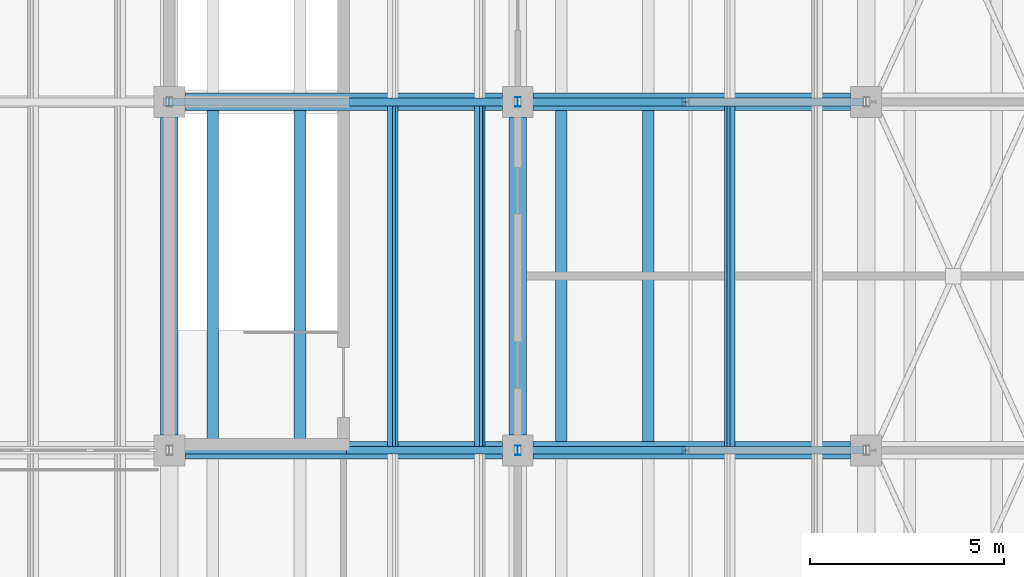
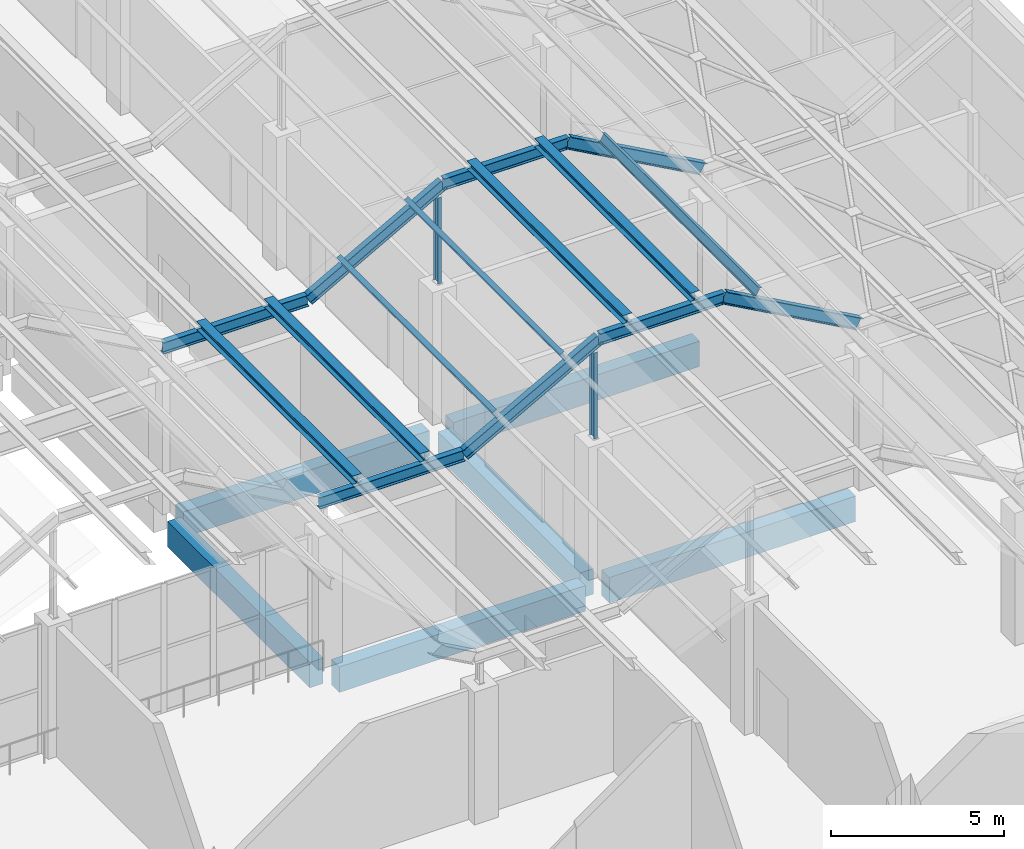
# One storey, part 36 of 437: 17 members, 6 beams.
"""IFC4 building model written with IfcOpenShell, lengths in metres."""

import ifcopenshell
import ifcopenshell.guid

model = None  # the IFC model being written
_history = None  # IfcOwnerHistory: only IFC2X3 demands one
_inside = {}  # id of a spatial element -> (the spatial element, [elements in it])
_under = {}  # id of a project, library or spatial element -> (it, [spatial elements below it])
_declared = {}  # id of a project -> (the project, [libraries it declares])
_typed = {}  # id of a type object -> (the type object, [elements of that type])
_made_of = {}  # id of a material, layer set ... -> (it, [elements and type objects made of it])


def new_model(schema):
    """Start an empty IFC model of exactly this schema.

    Asked for "IFC4X3", IfcOpenShell would pick the latest addendum, in which some entities
    have other attributes; the version numbers below select the first issue.
    IFC2X3 requires an IfcOwnerHistory on every rooted entity: one is made here for all.
    """
    global model, _history
    if schema == "IFC4X3":
        model = ifcopenshell.file(schema_version=(4, 3, 0, 0))
    else:
        model = ifcopenshell.file(schema=schema)
    _inside.clear()
    _under.clear()
    _declared.clear()
    _typed.clear()
    _made_of.clear()
    _history = None
    if model.schema == "IFC2X3":
        org = make("IfcOrganization", Name="unknown")
        user = make(
            "IfcPersonAndOrganization",
            ThePerson=make("IfcPerson", FamilyName="unknown"),
            TheOrganization=org,
        )
        app = make(
            "IfcApplication",
            ApplicationDeveloper=org,
            Version="unknown",
            ApplicationFullName="unknown",
            ApplicationIdentifier="unknown",
        )
        _history = make(
            "IfcOwnerHistory",
            OwningUser=user,
            OwningApplication=app,
            ChangeAction="ADDED",
            CreationDate=0,
        )
    return model


def make(cls, **values):
    """One entity of the class cls with the attributes given. An attribute that is None is left unset."""
    return model.create_entity(
        cls, **{name: value for name, value in values.items() if value is not None}
    )


def rooted(cls, **values):
    """An entity with a GlobalId (a new one), such as an element, a storey or a relation."""
    return make(cls, GlobalId=ifcopenshell.guid.new(), OwnerHistory=_history, **values)


def si_unit(unit_type, name, prefix=None):
    """IfcSIUnit, for example si_unit("LENGTHUNIT", "METRE", prefix="MILLI")."""
    return make("IfcSIUnit", UnitType=unit_type, Prefix=prefix, Name=name)


def assignment(units):
    """IfcUnitAssignment: the units of a project."""
    return None if units is None else make("IfcUnitAssignment", Units=units)


def point(xyz):
    """IfcCartesianPoint."""
    return None if xyz is None else make("IfcCartesianPoint", Coordinates=xyz)


def direction(xyz):
    """IfcDirection."""
    return None if xyz is None else make("IfcDirection", DirectionRatios=xyz)


def frame(location, z_axis=None, x_axis=None):
    """IfcAxis2Placement3D, a coordinate frame: its origin and axes. An axis left out is left unset."""
    return make(
        "IfcAxis2Placement3D",
        Location=point(location),
        Axis=direction(z_axis),
        RefDirection=direction(x_axis),
    )


def frame_2d(location, x_axis=None):
    """IfcAxis2Placement2D, a coordinate frame in the plane: its origin and x axis."""
    return make(
        "IfcAxis2Placement2D", Location=point(location), RefDirection=direction(x_axis)
    )


def origin():
    """The frame at (0, 0, 0) with its axes left unset."""
    return frame((0.0, 0.0, 0.0))


def origin_2d():
    """The frame at (0, 0) in the plane with its x axis left unset."""
    return frame_2d((0.0, 0.0))


def place(relative_to, where):
    """IfcLocalPlacement: puts the frame where relative to a parent placement (None: the world)."""
    return make(
        "IfcLocalPlacement", PlacementRelTo=relative_to, RelativePlacement=where
    )


def context(
    kind, dimensions, precision=None, world=None, true_north=None, identifier=None
):
    """IfcGeometricRepresentationContext, for example the 3D "Model" context."""
    return make(
        "IfcGeometricRepresentationContext",
        ContextIdentifier=identifier,
        ContextType=kind,
        CoordinateSpaceDimension=dimensions,
        Precision=precision,
        WorldCoordinateSystem=world,
        TrueNorth=true_north,
    )


def subcontext(parent, identifier, kind, view, scale=None):
    """IfcGeometricRepresentationSubContext, for example "Body" below "Model"."""
    return make(
        "IfcGeometricRepresentationSubContext",
        ContextIdentifier=identifier,
        ContextType=kind,
        ParentContext=parent,
        TargetScale=scale,
        TargetView=view,
    )


def project(units=None, contexts=None):
    """IfcProject with its units and contexts."""
    return rooted(
        "IfcProject",
        Name="project",
        RepresentationContexts=contexts,
        UnitsInContext=assignment(units),
    )


def spatial(cls, under=None, at=None, **own):
    """A site, building, storey or space (cls), placed at a placement, below another one or the project."""
    s = rooted(cls, ObjectPlacement=at, **own)
    if under is not None:
        _under.setdefault(under.id(), (under, []))[1].append(s)
    return s


def profile(cls, at=None, kind="AREA", **sizes):
    """A parametric profile (cls). Its sizes go by their IFC names, for example OverallWidth=200.0."""
    return make(cls, ProfileType=kind, Position=at, **sizes)


def rectangle(**sizes):
    """IfcRectangleProfileDef."""
    return profile("IfcRectangleProfileDef", **sizes)


def i_section(**sizes):
    """IfcIShapeProfileDef."""
    return profile("IfcIShapeProfileDef", **sizes)


def extrude(swept, where, along, depth):
    """IfcExtrudedAreaSolid: the profile swept, set in the frame where, extruded along a direction by depth."""
    return make(
        "IfcExtrudedAreaSolid",
        SweptArea=swept,
        Position=where,
        ExtrudedDirection=direction(along),
        Depth=depth,
    )


def shape(context_of_items, identifier, shape_type, items):
    """IfcShapeRepresentation: the items that make up one representation, for example the "Body"."""
    return make(
        "IfcShapeRepresentation",
        ContextOfItems=context_of_items,
        RepresentationIdentifier=identifier,
        RepresentationType=shape_type,
        Items=items,
    )


def material(Name=None, Category=None):
    """IfcMaterial."""
    return make("IfcMaterial", Name=Name, Category=Category)


def material_profile(
    of_material, cross_section, Name=None, Category=None, Priority=None
):
    """IfcMaterialProfile: a cross section and its material."""
    return make(
        "IfcMaterialProfile",
        Name=Name,
        Material=of_material,
        Profile=cross_section,
        Priority=Priority,
        Category=Category,
    )


def profile_set(profiles, Name=None, composite=None):
    """IfcMaterialProfileSet."""
    return make(
        "IfcMaterialProfileSet",
        Name=Name,
        MaterialProfiles=profiles,
        CompositeProfile=composite,
    )


def made_of(thing, what):
    """Note that an element or type object is made of a material, layer set ...; save() writes the relation."""
    if what is not None:
        _made_of.setdefault(what.id(), (what, []))[1].append(thing)
    return thing


def type_object(cls, material=None, **own):
    """A type object (cls), such as IfcWallType, which elements share."""
    return made_of(rooted(cls, **own), material)


def element(
    cls,
    number,
    at=None,
    inside=None,
    cuts=None,
    type_object=None,
    material=None,
    context=None,
    identifier="Body",
    shape_type=None,
    held_by="IfcProductDefinitionShape",
    body=None,
    shapes=None,
    **own,
):
    """One element of the class cls, such as IfcWall. Its Tag is "e" and its number.

    at: its placement. inside: the storey or other place that contains it. cuts: it is an
    opening in that element (IfcRelVoidsElement). A single representation is given by context,
    identifier, shape_type and body (its items); several are given by shapes. held_by: the class
    of the entity that holds the representations. save() writes the other relations.
    """
    e = rooted(cls, Tag="e%d" % number, ObjectPlacement=at, **own)
    if body is not None:
        shapes = [shape(context, identifier, shape_type, body)]
    if shapes is not None:
        e.Representation = make(held_by, Representations=shapes)
    if inside is not None:
        _inside.setdefault(inside.id(), (inside, []))[1].append(e)
    if cuts is not None:
        rooted(
            "IfcRelVoidsElement", RelatingBuildingElement=cuts, RelatedOpeningElement=e
        )
    if type_object is not None:
        _typed.setdefault(type_object.id(), (type_object, []))[1].append(e)
    return made_of(e, material)


def aggregate(whole, parts):
    """IfcRelAggregates: a whole, such as a stair, and the parts it consists of."""
    return rooted("IfcRelAggregates", RelatingObject=whole, RelatedObjects=parts)


def save(model, path):
    """Write the relations noted so far, then the file.

    IfcRelAggregates (storeys below a building ...), IfcRelContainedInSpatialStructure (elements
    in a storey), IfcRelDefinesByType, IfcRelAssociatesMaterial and IfcRelDeclares: one each for
    every whole, place, type object, material and project.
    """
    for whole, parts in _under.values():
        aggregate(whole, parts)
    for where, things in _inside.values():
        rooted(
            "IfcRelContainedInSpatialStructure",
            RelatedElements=things,
            RelatingStructure=where,
        )
    for kind, things in _typed.values():
        rooted("IfcRelDefinesByType", RelatedObjects=things, RelatingType=kind)
    for what, things in _made_of.values():
        rooted("IfcRelAssociatesMaterial", RelatedObjects=things, RelatingMaterial=what)
    for by, libraries in _declared.values():
        rooted("IfcRelDeclares", RelatingContext=by, RelatedDefinitions=libraries)
    model.write(path)


model = new_model("IFC4")

# Units and contexts
model_context = context("Model", 3, precision=1e-05, world=origin(), true_north=direction((0.0, 1.0)))
body_context = subcontext(model_context, "Body", "Model", "MODEL_VIEW")
ifc_project = project(units=[si_unit("LENGTHUNIT", "METRE"), si_unit("AREAUNIT", "SQUARE_METRE"), si_unit("VOLUMEUNIT", "CUBIC_METRE"), si_unit("PLANEANGLEUNIT", "RADIAN"), si_unit("MASSUNIT", "GRAM", prefix="KILO")], contexts=[model_context])

# Site, building, storey
site_placement = place(None, origin())
site = spatial("IfcSite", under=ifc_project, at=site_placement, CompositionType="ELEMENT")
building_placement = place(site_placement, origin())
building = spatial("IfcBuilding", under=site, at=building_placement, Name="Opaline Strait Convention Centre", CompositionType="ELEMENT")
storey_placement = place(building_placement, frame((0.0, 0.0, 11.5)))
storey = spatial("IfcBuildingStorey", under=building, at=storey_placement, Name="L02", CompositionType="ELEMENT", Elevation=11.5)

# Members
ifc_material_1 = material(Name="Steel Q355B", Category="steel")
ifc_material_profile_1 = material_profile(ifc_material_1, i_section(OverallWidth=0.300048828125, OverallDepth=0.300048828125, WebThickness=0.010009765625, FlangeThickness=0.014892578125, FilletRadius=0.012939453125, at=origin_2d()), Name="HW 300x300x10x15")
ifc_profile_set_1 = profile_set([ifc_material_profile_1], Name="Steel Q355B")
member_type_1 = type_object("IfcMemberType", Name="Crest purlin HW 300x300x10x15", PredefinedType="PURLIN", material=ifc_profile_set_1)
for number, where, z_axis, x_axis, name in (
    (1, (55.125, 45.0, 5.949951171875), (0.0, 1.0, 0.0), (-1.0, 0.0, 0.0), "RU1 purlin facet 11 line 1"),
    (2, (57.375, 45.0, 5.949951171875), (0.0, 1.0, 0.0), (-1.0, 0.0, 0.0), "RU1 purlin facet 11 line 2"),
    (3, (64.125, 45.0, 8.449951171875), (0.0, 1.0, 0.0), (-1.0, 0.0, 0.0), "RU1 purlin facet 13 line 1"),
    (4, (66.375, 45.0, 8.449951171875), (0.0, 1.0, 0.0), (-1.0, 0.0, 0.0), "RU1 purlin facet 13 line 2"),
):
    element("IfcMember", number, at=place(storey_placement, frame(where, z_axis=z_axis, x_axis=x_axis)), inside=storey, type_object=member_type_1, Name=name, PredefinedType="PURLIN", context=body_context, shape_type="SweptSolid", body=[
        extrude(i_section(OverallWidth=0.300048828125, OverallDepth=0.300048828125, WebThickness=0.010009765625, FlangeThickness=0.014892578125, FilletRadius=0.012939453125, at=origin_2d()), origin(), (0.0, 0.0, 1.0), 9.0),
    ])

# Beams
ifc_material_2 = material(Name="Concrete C35", Category="concrete")
ifc_material_profile_2 = material_profile(ifc_material_2, rectangle(XDim=0.449951171875, YDim=0.89990234375, at=origin_2d()), Name="RC 450x900")
ifc_profile_set_2 = profile_set([ifc_material_profile_2], Name="Concrete C35")
beam_type = type_object("IfcBeamType", Name="RC beam 450x900 C35", PredefinedType="BEAM", material=ifc_profile_set_2)
for number, where, z_axis, x_axis, name in (
    (5, (54.39990234375, 45.0, -0.72998046875), (1.0, 0.0, 0.0), (0.0, 1.0, 0.0), "XB1 L02 54/45-63/45"),
    (6, (63.39990234375, 45.0, -0.72998046875), (1.0, 0.0, 0.0), (0.0, 1.0, 0.0), "XB1 L02 63/45-72/45"),
    (7, (54.39990234375, 54.0, -0.72998046875), (1.0, 0.0, 0.0), (0.0, 1.0, 0.0), "XB1 L02 54/54-63/54"),
    (8, (63.39990234375, 54.0, -0.72998046875), (1.0, 0.0, 0.0), (0.0, 1.0, 0.0), "XB1 L02 63/54-72/54"),
    (9, (54.0, 45.39990234375, -0.72998046875), (0.0, 1.0, 0.0), (-1.0, 0.0, 0.0), "XB1 L02 54/45-54/54"),
    (10, (63.0, 45.39990234375, -0.72998046875), (0.0, 1.0, 0.0), (-1.0, 0.0, 0.0), "XB1 L02 63/45-63/54"),
):
    element("IfcBeam", number, at=place(storey_placement, frame(where, z_axis=z_axis, x_axis=x_axis)), inside=storey, type_object=beam_type, Name=name, PredefinedType="BEAM", context=body_context, shape_type="SweptSolid", body=[
        extrude(rectangle(XDim=0.449951171875, YDim=0.89990234375, at=origin_2d()), origin(), (0.0, 0.0, 1.0), 8.2001953125),
    ])

# Members
ifc_material_profile_3 = material_profile(ifc_material_1, i_section(OverallWidth=0.125, OverallDepth=0.25, WebThickness=0.006103515625, FlangeThickness=0.009033203125, FilletRadius=0.008056640625, at=origin_2d()), Name="HN 250x125x6x9")
ifc_profile_set_3 = profile_set([ifc_material_profile_3], Name="Steel Q355B")
member_type_2 = type_object("IfcMemberType", Name="Roof post HN 250x125x6x9", PredefinedType="STRUT", material=ifc_profile_set_3)
for number, where, z_axis, x_axis, name in (
    (11, (63.0, 45.0, 4.68994140625), (0.0, 0.0, 1.0), (1.0, 0.0, 0.0), "RP1 roof post at 63/45"),
    (12, (63.0, 54.0, 4.68994140625), (0.0, 0.0, 1.0), (1.0, 0.0, 0.0), "RP1 roof post at 63/54"),
):
    element("IfcMember", number, at=place(storey_placement, frame(where, z_axis=z_axis, x_axis=x_axis)), inside=storey, type_object=member_type_2, Name=name, PredefinedType="STRUT", context=body_context, shape_type="SweptSolid", body=[
        extrude(i_section(OverallWidth=0.125, OverallDepth=0.25, WebThickness=0.006103515625, FlangeThickness=0.009033203125, FilletRadius=0.008056640625, at=origin_2d()), origin(), (0.0, 0.0, 1.0), 3.031005859375),
    ])
ifc_material_profile_4 = material_profile(ifc_material_1, i_section(OverallWidth=0.14990234375, OverallDepth=0.300048828125, WebThickness=0.006591796875, FlangeThickness=0.009033203125, FilletRadius=0.012939453125, at=origin_2d()), Name="HN 300x150x6.5x9")
ifc_profile_set_4 = profile_set([ifc_material_profile_4], Name="Steel Q355B")
member_type_3 = type_object("IfcMemberType", Name="Roof purlin HN 300x150x6.5x9", PredefinedType="PURLIN", material=ifc_profile_set_4)
for number, where, z_axis, x_axis, name in (
    (13, (59.770751953125, 45.0, 6.61279296875), (0.0, 1.0, 0.0), (-0.874157310866, 0.0, -0.485642868639), "RU1 purlin facet 12 line 1"),
    (14, (62.020751953125, 45.0, 7.86279296875), (0.0, 1.0, 0.0), (-0.874157310866, 0.0, -0.485642868639), "RU1 purlin facet 12 line 2"),
    (15, (68.479248046875, 45.0, 7.86279296875), (0.0, 1.0, 0.0), (-0.874157310866, 0.0, 0.485642868639), "RU1 purlin facet 14 line 1"),
):
    element("IfcMember", number, at=place(storey_placement, frame(where, z_axis=z_axis, x_axis=x_axis)), inside=storey, type_object=member_type_3, Name=name, PredefinedType="PURLIN", context=body_context, shape_type="SweptSolid", body=[
        extrude(i_section(OverallWidth=0.14990234375, OverallDepth=0.300048828125, WebThickness=0.006591796875, FlangeThickness=0.009033203125, FilletRadius=0.012939453125, at=origin_2d()), origin(), (0.0, 0.0, 1.0), 9.0),
    ])
ifc_material_profile_5 = material_profile(ifc_material_1, i_section(OverallWidth=0.199951171875, OverallDepth=0.39990234375, WebThickness=0.008056640625, FlangeThickness=0.012939453125, FilletRadius=0.012939453125, at=origin_2d()), Name="HN 400x200x8x13")
ifc_profile_set_5 = profile_set([ifc_material_profile_5], Name="Steel Q355B")
member_type_4 = type_object("IfcMemberType", Name="Roof rafter HN 400x200x8x13", PredefinedType="RAFTER", material=ifc_profile_set_5)
member_1_placement = place(storey_placement, frame((53.83154296875, 45.0, 5.60009765625), z_axis=(1.0, 0.0, 0.0), x_axis=(0.0, 1.0, 0.0)))
element("IfcMember", 16, at=member_1_placement, inside=storey, type_object=member_type_4, Name="RR1 rafter line 5 facet 12", PredefinedType="RAFTER", context=body_context, shape_type="SweptSolid", body=[
    extrude(i_section(OverallWidth=0.199951171875, OverallDepth=0.39990234375, WebThickness=0.008056640625, FlangeThickness=0.012939453125, FilletRadius=0.012939453125, at=origin_2d()), origin(), (0.0, 0.0, 1.0), 4.8369140625),
])
member_2_placement = place(storey_placement, frame((58.66845703125, 45.0, 5.60009765625), z_axis=(0.874157276122, 0.0, 0.485642931179), x_axis=(0.0, 1.0, 0.0)))
element("IfcMember", 17, at=member_2_placement, inside=storey, type_object=member_type_4, Name="RR1 rafter line 5 facet 13", PredefinedType="RAFTER", context=body_context, shape_type="SweptSolid", body=[
    extrude(i_section(OverallWidth=0.199951171875, OverallDepth=0.39990234375, WebThickness=0.008056640625, FlangeThickness=0.012939453125, FilletRadius=0.012939453125, at=origin_2d()), origin(), (0.0, 0.0, 1.0), 5.147705078125),
])
member_3_placement = place(storey_placement, frame((63.16845703125, 45.0, 8.10009765625), z_axis=(1.0, 0.0, 0.0), x_axis=(0.0, 1.0, 0.0)))
element("IfcMember", 18, at=member_3_placement, inside=storey, type_object=member_type_4, Name="RR1 rafter line 5 facet 14", PredefinedType="RAFTER", context=body_context, shape_type="SweptSolid", body=[
    extrude(i_section(OverallWidth=0.199951171875, OverallDepth=0.39990234375, WebThickness=0.008056640625, FlangeThickness=0.012939453125, FilletRadius=0.012939453125, at=origin_2d()), origin(), (0.0, 0.0, 1.0), 4.1630859375),
])
member_4_placement = place(storey_placement, frame((67.33154296875, 45.0, 8.10009765625), z_axis=(0.874157276122, 0.0, -0.485642931179), x_axis=(0.0, 1.0, 0.0)))
element("IfcMember", 19, at=member_4_placement, inside=storey, type_object=member_type_4, Name="RR1 rafter line 5 facet 15", PredefinedType="RAFTER", context=body_context, shape_type="SweptSolid", body=[
    extrude(i_section(OverallWidth=0.199951171875, OverallDepth=0.39990234375, WebThickness=0.008056640625, FlangeThickness=0.012939453125, FilletRadius=0.012939453125, at=origin_2d()), origin(), (0.0, 0.0, 1.0), 5.147705078125),
])
member_5_placement = place(storey_placement, frame((53.83154296875, 54.0, 5.60009765625), z_axis=(1.0, 0.0, 0.0), x_axis=(0.0, 1.0, 0.0)))
element("IfcMember", 20, at=member_5_placement, inside=storey, type_object=member_type_4, Name="RR1 rafter line 6 facet 12", PredefinedType="RAFTER", context=body_context, shape_type="SweptSolid", body=[
    extrude(i_section(OverallWidth=0.199951171875, OverallDepth=0.39990234375, WebThickness=0.008056640625, FlangeThickness=0.012939453125, FilletRadius=0.012939453125, at=origin_2d()), origin(), (0.0, 0.0, 1.0), 4.8369140625),
])
member_6_placement = place(storey_placement, frame((58.66845703125, 54.0, 5.60009765625), z_axis=(0.874157276122, 0.0, 0.485642931179), x_axis=(0.0, 1.0, 0.0)))
element("IfcMember", 21, at=member_6_placement, inside=storey, type_object=member_type_4, Name="RR1 rafter line 6 facet 13", PredefinedType="RAFTER", context=body_context, shape_type="SweptSolid", body=[
    extrude(i_section(OverallWidth=0.199951171875, OverallDepth=0.39990234375, WebThickness=0.008056640625, FlangeThickness=0.012939453125, FilletRadius=0.012939453125, at=origin_2d()), origin(), (0.0, 0.0, 1.0), 5.147705078125),
])
member_7_placement = place(storey_placement, frame((63.16845703125, 54.0, 8.10009765625), z_axis=(1.0, 0.0, 0.0), x_axis=(0.0, 1.0, 0.0)))
element("IfcMember", 22, at=member_7_placement, inside=storey, type_object=member_type_4, Name="RR1 rafter line 6 facet 14", PredefinedType="RAFTER", context=body_context, shape_type="SweptSolid", body=[
    extrude(i_section(OverallWidth=0.199951171875, OverallDepth=0.39990234375, WebThickness=0.008056640625, FlangeThickness=0.012939453125, FilletRadius=0.012939453125, at=origin_2d()), origin(), (0.0, 0.0, 1.0), 4.1630859375),
])
member_8_placement = place(storey_placement, frame((67.33154296875, 54.0, 8.10009765625), z_axis=(0.874157276122, 0.0, -0.485642931179), x_axis=(0.0, 1.0, 0.0)))
element("IfcMember", 23, at=member_8_placement, inside=storey, type_object=member_type_4, Name="RR1 rafter line 6 facet 15", PredefinedType="RAFTER", context=body_context, shape_type="SweptSolid", body=[
    extrude(i_section(OverallWidth=0.199951171875, OverallDepth=0.39990234375, WebThickness=0.008056640625, FlangeThickness=0.012939453125, FilletRadius=0.012939453125, at=origin_2d()), origin(), (0.0, 0.0, 1.0), 5.147705078125),
])

save(model, "model.ifc")
